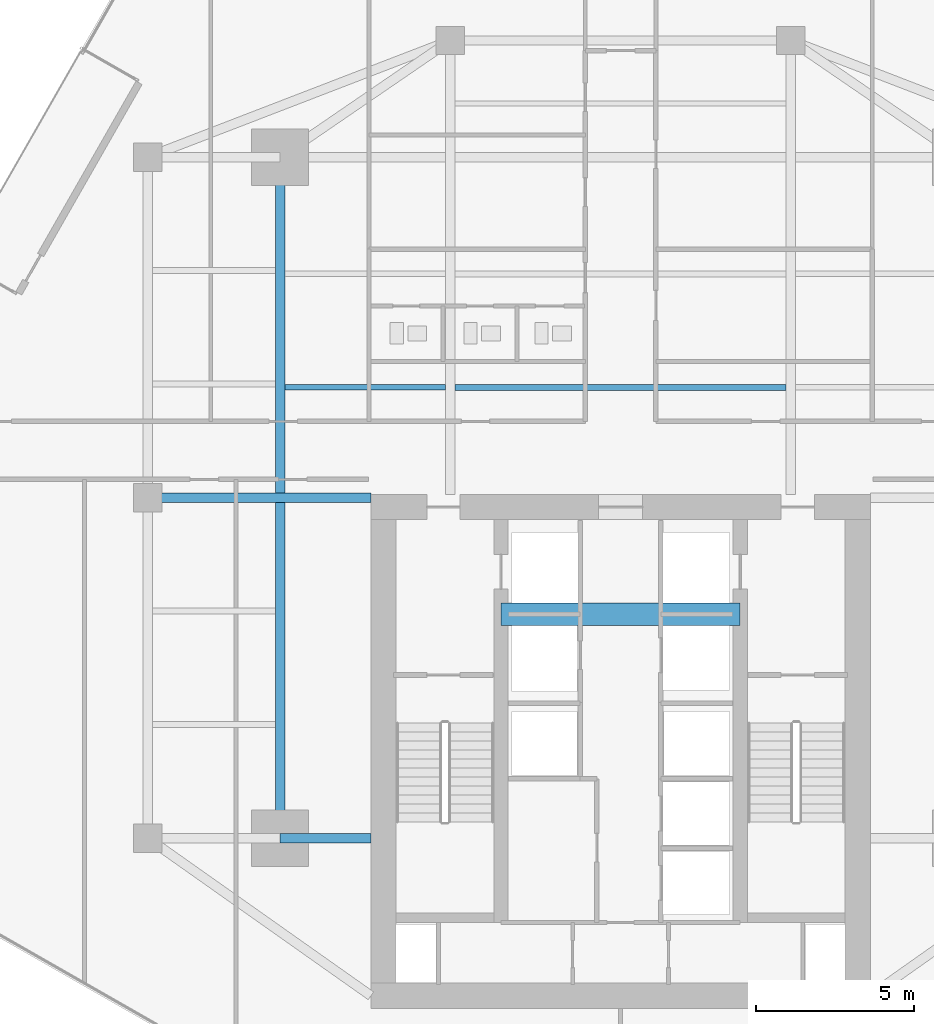
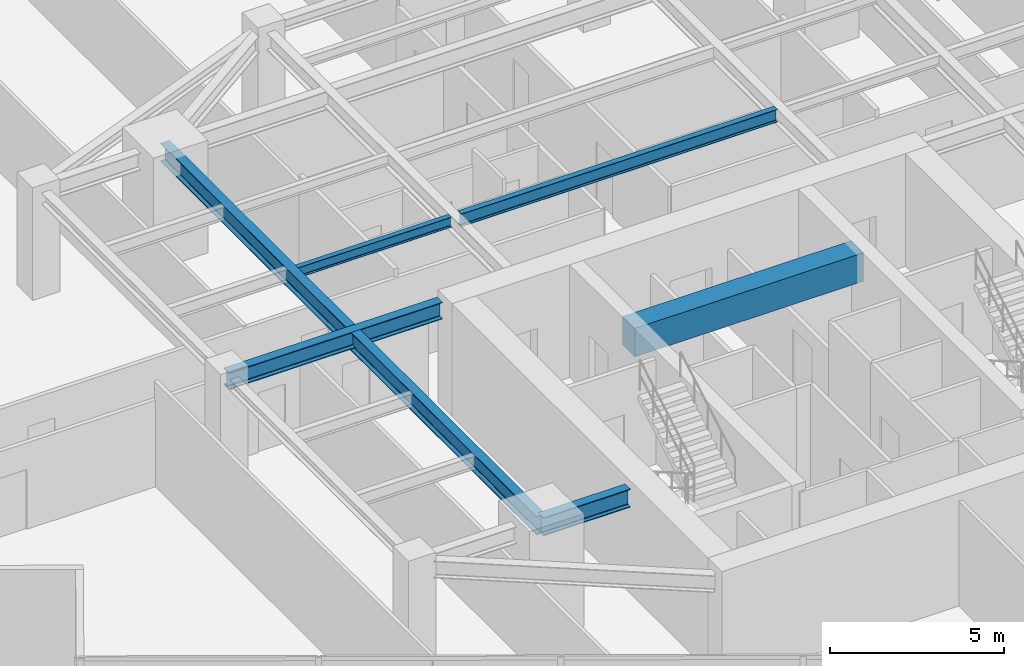
# One storey, part 8 of 24: 6 beams.
"""IFC4 building model written with IfcOpenShell, lengths in metres."""

from ifc_helpers import new_model, si_unit, direction, frame, origin, origin_2d, place, context, subcontext, project, spatial, rectangle, i_section, extrude, source, transform, mapped, material, material_profile, profile_set, type_object, type_shapes, element, save


model = new_model("IFC4")

# Units and contexts
model_context = context("Model", 3, precision=1e-05, world=origin(), true_north=direction((0.0, 1.0)))
body_context = subcontext(model_context, "Body", "Model", "MODEL_VIEW")
ifc_project = project(units=[si_unit("LENGTHUNIT", "METRE"), si_unit("AREAUNIT", "SQUARE_METRE"), si_unit("VOLUMEUNIT", "CUBIC_METRE"), si_unit("PLANEANGLEUNIT", "RADIAN"), si_unit("MASSUNIT", "GRAM", prefix="KILO")], contexts=[model_context])

# Site, building, storey
site_placement = place(None, origin())
site = spatial("IfcSite", under=ifc_project, at=site_placement, CompositionType="ELEMENT")
building_placement = place(site_placement, origin())
building = spatial("IfcBuilding", under=site, at=building_placement, Name="Krantzveldt Concourse Tower", CompositionType="ELEMENT")
storey_placement = place(building_placement, frame((0.0, 0.0, 169.89990234375)))
storey = spatial("IfcBuildingStorey", under=building, at=storey_placement, Name="L41", CompositionType="ELEMENT", Elevation=169.89990234375)

# Beams
ifc_material_1 = material(Name="Steel S355JR", Category="steel")
ifc_material_profile_1 = material_profile(ifc_material_1, i_section(OverallWidth=0.300048828125, OverallDepth=0.639892578125, WebThickness=0.013427734375, FlangeThickness=0.02587890625, FilletRadius=0.027099609375, at=origin_2d()), Name="Steel S355JR", Category="steel")
ifc_profile_set_1 = profile_set([ifc_material_profile_1], Name="Steel S355JR - HEA 650")
beam_type_1 = type_object("IfcBeamType", Name="BM-B-HEA650", PredefinedType="BEAM", material=ifc_profile_set_1)
shared_shape_1 = source(origin(), body_context, "Body", "SweptSolid", [
    extrude(i_section(OverallWidth=0.300048828125, OverallDepth=0.639892578125, WebThickness=0.013427734375, FlangeThickness=0.02587890625, FilletRadius=0.027099609375, at=origin_2d()), origin(), (0.0, 0.0, 1.0), 21.60009765625),
])
beam_1_placement = place(storey_placement, frame((25.199951171875, 15.89990234375, 3.35009765625), z_axis=(0.0, 1.0, 0.0), x_axis=(-1.0, 0.0, 0.0)))
element("IfcBeam", 1, at=beam_1_placement, inside=storey, type_object=beam_type_1, Name="L41 Tower Girder BG-MW", PredefinedType="BEAM", context=body_context, shape_type="MappedRepresentation", body=[
    mapped(shared_shape_1, transform((0.0, 0.0, 0.0), x_axis=(1.0, 0.0, 0.0), y_axis=(0.0, 1.0, 0.0), z_axis=(0.0, 0.0, 1.0), scale=1.0)),
])
ifc_material_profile_2 = material_profile(ifc_material_1, i_section(OverallWidth=0.300048828125, OverallDepth=0.590087890625, WebThickness=0.012939453125, FlangeThickness=0.02490234375, FilletRadius=0.027099609375, at=origin_2d()), Name="Steel S355JR", Category="steel")
ifc_profile_set_2 = profile_set([ifc_material_profile_2], Name="Steel S355JR - HEA 600")
beam_type_2 = type_object("IfcBeamType", Name="BM-B-HEA600", PredefinedType="BEAM", material=ifc_profile_set_2)
shared_shape_2 = source(origin(), body_context, "Body", "SweptSolid", [
    extrude(i_section(OverallWidth=0.300048828125, OverallDepth=0.590087890625, WebThickness=0.012939453125, FlangeThickness=0.02490234375, FilletRadius=0.027099609375, at=origin_2d()), origin(), (0.0, 0.0, 1.0), 7.080078125),
])
type_shapes(beam_type_2, [shared_shape_2])
beam_2_placement = place(storey_placement, frame((21.0, 26.699951171875, 3.375), z_axis=(1.0, 0.0, 0.0), x_axis=(0.0, 1.0, 0.0)))
element("IfcBeam", 2, at=beam_2_placement, inside=storey, type_object=beam_type_2, Name="L41 Tower Girder BG-CW2", PredefinedType="BEAM", context=body_context, shape_type="MappedRepresentation", body=[
    mapped(shared_shape_2, transform((0.0, 0.0, 0.0), x_axis=(1.0, 0.0, 0.0), y_axis=(0.0, 1.0, 0.0), z_axis=(0.0, 0.0, 1.0), scale=1.0)),
])
ifc_material_profile_3 = material_profile(ifc_material_1, i_section(OverallWidth=0.18994140625, OverallDepth=0.449951171875, WebThickness=0.009521484375, FlangeThickness=0.0146484375, FilletRadius=0.02099609375, at=origin_2d()), Name="Steel S355JR", Category="steel")
ifc_profile_set_3 = profile_set([ifc_material_profile_3], Name="Steel S355JR - IPE 450")
beam_type_3 = type_object("IfcBeamType", Name="BM-J-IPE450", PredefinedType="JOIST", material=ifc_profile_set_3)
shared_shape_3 = source(origin(), body_context, "Body", "SweptSolid", [
    extrude(i_section(OverallWidth=0.18994140625, OverallDepth=0.449951171875, WebThickness=0.009521484375, FlangeThickness=0.0146484375, FilletRadius=0.02099609375, at=origin_2d()), origin(), (0.0, 0.0, 1.0), 10.5),
])
type_shapes(beam_type_3, [shared_shape_3])
beam_3_placement = place(storey_placement, frame((30.75, 30.199951171875, 3.445068359375), z_axis=(1.0, 0.0, 0.0), x_axis=(0.0, 1.0, 0.0)))
element("IfcBeam", 3, at=beam_3_placement, inside=storey, type_object=beam_type_3, Name="L41 Secondary Floor Joist JN-C1", PredefinedType="JOIST", context=body_context, shape_type="MappedRepresentation", body=[
    mapped(shared_shape_3, transform((0.0, 0.0, 0.0), x_axis=(1.0, 0.0, 0.0), y_axis=(0.0, 1.0, 0.0), z_axis=(0.0, 0.0, 1.0), scale=1.0)),
])
ifc_material_2 = material(Name="Concrete C50/60", Category="concrete")
ifc_material_profile_4 = material_profile(ifc_material_2, rectangle(XDim=0.699951171875, YDim=1.0, at=origin_2d()), Name="Concrete C50/60", Category="concrete")
ifc_profile_set_4 = profile_set([ifc_material_profile_4], Name="Concrete C50/60 - RC-CB 700x1000")
beam_type_4 = type_object("IfcBeamType", Name="BM-CB-1000", PredefinedType="LINTEL", material=ifc_profile_set_4)
shared_shape_4 = source(origin(), body_context, "Body", "SweptSolid", [
    extrude(rectangle(XDim=0.699951171875, YDim=1.0, at=origin_2d()), origin(), (0.0, 0.0, 1.0), 7.580078125),
])
type_shapes(beam_type_4, [shared_shape_4])
beam_4_placement = place(storey_placement, frame((32.2099609375, 23.0, 3.170166015625), z_axis=(1.0, 0.0, 0.0), x_axis=(0.0, 1.0, 0.0)))
element("IfcBeam", 4, at=beam_4_placement, inside=storey, type_object=beam_type_4, Name="CB-L41-01", PredefinedType="LINTEL", context=body_context, shape_type="MappedRepresentation", body=[
    mapped(shared_shape_4, transform((0.0, 0.0, 0.0), x_axis=(1.0, 0.0, 0.0), y_axis=(0.0, 1.0, 0.0), z_axis=(0.0, 0.0, 1.0), scale=1.0)),
])
shared_shape_5 = source(origin(), body_context, "Body", "SweptSolid", [
    extrude(i_section(OverallWidth=0.300048828125, OverallDepth=0.639892578125, WebThickness=0.013427734375, FlangeThickness=0.02587890625, FilletRadius=0.027099609375, at=origin_2d()), origin(), (0.0, 0.0, 1.0), 2.880126953125),
])
type_shapes(beam_type_1, [shared_shape_1, shared_shape_5])
beam_5_placement = place(storey_placement, frame((25.199951171875, 15.89990234375, 3.35009765625), z_axis=(1.0, 0.0, 0.0), x_axis=(0.0, 1.0, 0.0)))
element("IfcBeam", 5, at=beam_5_placement, inside=storey, type_object=beam_type_1, Name="L41 Tower Girder BG-CW1", PredefinedType="BEAM", context=body_context, shape_type="MappedRepresentation", body=[
    mapped(shared_shape_5, transform((0.0, 0.0, 0.0), x_axis=(1.0, 0.0, 0.0), y_axis=(0.0, 1.0, 0.0), z_axis=(0.0, 0.0, 1.0), scale=1.0)),
])
ifc_material_profile_5 = material_profile(ifc_material_1, i_section(OverallWidth=0.169921875, OverallDepth=0.360107421875, WebThickness=0.008056640625, FlangeThickness=0.0126953125, FilletRadius=0.01806640625, at=origin_2d()), Name="Steel S355JR", Category="steel")
ifc_profile_set_5 = profile_set([ifc_material_profile_5], Name="Steel S355JR - IPE 360")
beam_type_5 = type_object("IfcBeamType", Name="BM-J-IPE360", PredefinedType="JOIST", material=ifc_profile_set_5)
shared_shape_6 = source(origin(), body_context, "Body", "SweptSolid", [
    extrude(i_section(OverallWidth=0.169921875, OverallDepth=0.360107421875, WebThickness=0.008056640625, FlangeThickness=0.0126953125, FilletRadius=0.01806640625, at=origin_2d()), origin(), (0.0, 0.0, 1.0), 5.099853515625),
])
type_shapes(beam_type_5, [shared_shape_6])
beam_6_placement = place(storey_placement, frame((25.35009765625, 30.199951171875, 3.489990234375), z_axis=(1.0, 0.0, 0.0), x_axis=(0.0, 1.0, 0.0)))
element("IfcBeam", 6, at=beam_6_placement, inside=storey, type_object=beam_type_5, Name="L41 Secondary Floor Joist JN-W1", PredefinedType="JOIST", context=body_context, shape_type="MappedRepresentation", body=[
    mapped(shared_shape_6, transform((0.0, 0.0, 0.0), x_axis=(1.0, 0.0, 0.0), y_axis=(0.0, 1.0, 0.0), z_axis=(0.0, 0.0, 1.0), scale=1.0)),
])

save(model, "model.ifc")
